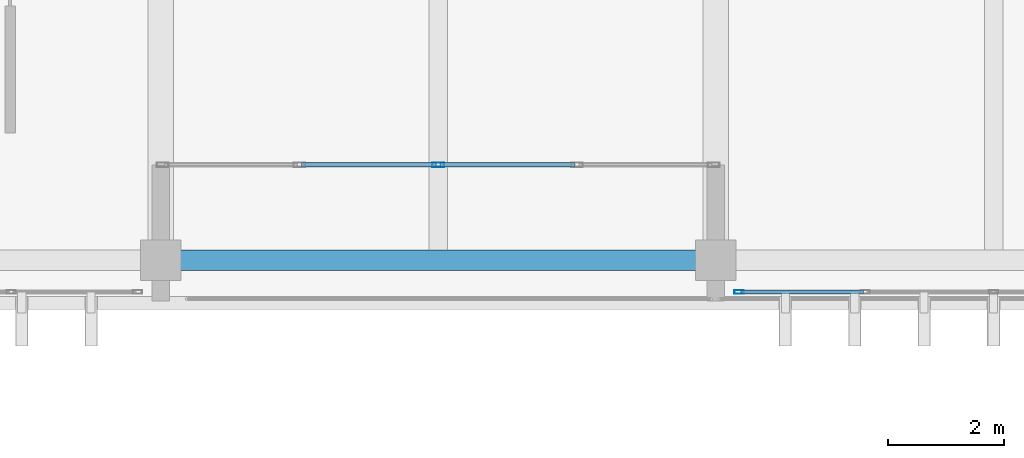
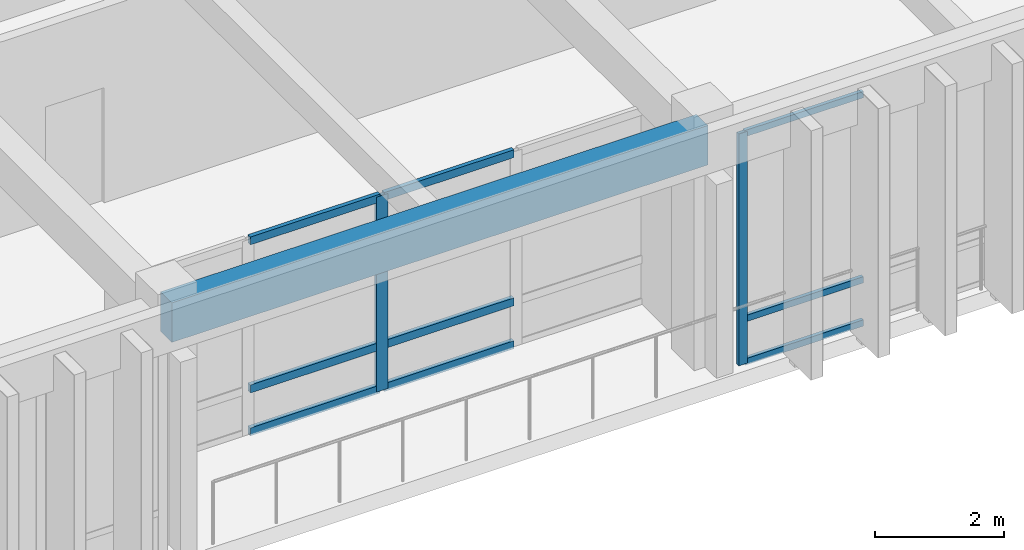
# One storey, part 10 of 133: 11 members, 1 beam, 2 elements without a shape of their own.
"""IFC4 building model written with IfcOpenShell, lengths in metres."""

import ifcopenshell
import ifcopenshell.guid

model = None  # the IFC model being written
_history = None  # IfcOwnerHistory: only IFC2X3 demands one
_inside = {}  # id of a spatial element -> (the spatial element, [elements in it])
_under = {}  # id of a project, library or spatial element -> (it, [spatial elements below it])
_declared = {}  # id of a project -> (the project, [libraries it declares])
_typed = {}  # id of a type object -> (the type object, [elements of that type])
_made_of = {}  # id of a material, layer set ... -> (it, [elements and type objects made of it])


def new_model(schema):
    """Start an empty IFC model of exactly this schema.

    Asked for "IFC4X3", IfcOpenShell would pick the latest addendum, in which some entities
    have other attributes; the version numbers below select the first issue.
    IFC2X3 requires an IfcOwnerHistory on every rooted entity: one is made here for all.
    """
    global model, _history
    if schema == "IFC4X3":
        model = ifcopenshell.file(schema_version=(4, 3, 0, 0))
    else:
        model = ifcopenshell.file(schema=schema)
    _inside.clear()
    _under.clear()
    _declared.clear()
    _typed.clear()
    _made_of.clear()
    _history = None
    if model.schema == "IFC2X3":
        org = make("IfcOrganization", Name="unknown")
        user = make(
            "IfcPersonAndOrganization",
            ThePerson=make("IfcPerson", FamilyName="unknown"),
            TheOrganization=org,
        )
        app = make(
            "IfcApplication",
            ApplicationDeveloper=org,
            Version="unknown",
            ApplicationFullName="unknown",
            ApplicationIdentifier="unknown",
        )
        _history = make(
            "IfcOwnerHistory",
            OwningUser=user,
            OwningApplication=app,
            ChangeAction="ADDED",
            CreationDate=0,
        )
    return model


def make(cls, **values):
    """One entity of the class cls with the attributes given. An attribute that is None is left unset."""
    return model.create_entity(
        cls, **{name: value for name, value in values.items() if value is not None}
    )


def rooted(cls, **values):
    """An entity with a GlobalId (a new one), such as an element, a storey or a relation."""
    return make(cls, GlobalId=ifcopenshell.guid.new(), OwnerHistory=_history, **values)


def si_unit(unit_type, name, prefix=None):
    """IfcSIUnit, for example si_unit("LENGTHUNIT", "METRE", prefix="MILLI")."""
    return make("IfcSIUnit", UnitType=unit_type, Prefix=prefix, Name=name)


def assignment(units):
    """IfcUnitAssignment: the units of a project."""
    return None if units is None else make("IfcUnitAssignment", Units=units)


def point(xyz):
    """IfcCartesianPoint."""
    return None if xyz is None else make("IfcCartesianPoint", Coordinates=xyz)


def direction(xyz):
    """IfcDirection."""
    return None if xyz is None else make("IfcDirection", DirectionRatios=xyz)


def frame(location, z_axis=None, x_axis=None):
    """IfcAxis2Placement3D, a coordinate frame: its origin and axes. An axis left out is left unset."""
    return make(
        "IfcAxis2Placement3D",
        Location=point(location),
        Axis=direction(z_axis),
        RefDirection=direction(x_axis),
    )


def frame_2d(location, x_axis=None):
    """IfcAxis2Placement2D, a coordinate frame in the plane: its origin and x axis."""
    return make(
        "IfcAxis2Placement2D", Location=point(location), RefDirection=direction(x_axis)
    )


def origin():
    """The frame at (0, 0, 0) with its axes left unset."""
    return frame((0.0, 0.0, 0.0))


def origin_2d():
    """The frame at (0, 0) in the plane with its x axis left unset."""
    return frame_2d((0.0, 0.0))


def place(relative_to, where):
    """IfcLocalPlacement: puts the frame where relative to a parent placement (None: the world)."""
    return make(
        "IfcLocalPlacement", PlacementRelTo=relative_to, RelativePlacement=where
    )


def context(
    kind, dimensions, precision=None, world=None, true_north=None, identifier=None
):
    """IfcGeometricRepresentationContext, for example the 3D "Model" context."""
    return make(
        "IfcGeometricRepresentationContext",
        ContextIdentifier=identifier,
        ContextType=kind,
        CoordinateSpaceDimension=dimensions,
        Precision=precision,
        WorldCoordinateSystem=world,
        TrueNorth=true_north,
    )


def subcontext(parent, identifier, kind, view, scale=None):
    """IfcGeometricRepresentationSubContext, for example "Body" below "Model"."""
    return make(
        "IfcGeometricRepresentationSubContext",
        ContextIdentifier=identifier,
        ContextType=kind,
        ParentContext=parent,
        TargetScale=scale,
        TargetView=view,
    )


def project(units=None, contexts=None):
    """IfcProject with its units and contexts."""
    return rooted(
        "IfcProject",
        Name="project",
        RepresentationContexts=contexts,
        UnitsInContext=assignment(units),
    )


def spatial(cls, under=None, at=None, **own):
    """A site, building, storey or space (cls), placed at a placement, below another one or the project."""
    s = rooted(cls, ObjectPlacement=at, **own)
    if under is not None:
        _under.setdefault(under.id(), (under, []))[1].append(s)
    return s


def profile(cls, at=None, kind="AREA", **sizes):
    """A parametric profile (cls). Its sizes go by their IFC names, for example OverallWidth=200.0."""
    return make(cls, ProfileType=kind, Position=at, **sizes)


def rectangle(**sizes):
    """IfcRectangleProfileDef."""
    return profile("IfcRectangleProfileDef", **sizes)


def hollow_rectangle(**sizes):
    """IfcRectangleHollowProfileDef."""
    return profile("IfcRectangleHollowProfileDef", **sizes)


def extrude(swept, where, along, depth):
    """IfcExtrudedAreaSolid: the profile swept, set in the frame where, extruded along a direction by depth."""
    return make(
        "IfcExtrudedAreaSolid",
        SweptArea=swept,
        Position=where,
        ExtrudedDirection=direction(along),
        Depth=depth,
    )


def shape(context_of_items, identifier, shape_type, items):
    """IfcShapeRepresentation: the items that make up one representation, for example the "Body"."""
    return make(
        "IfcShapeRepresentation",
        ContextOfItems=context_of_items,
        RepresentationIdentifier=identifier,
        RepresentationType=shape_type,
        Items=items,
    )


def material(Name=None, Category=None):
    """IfcMaterial."""
    return make("IfcMaterial", Name=Name, Category=Category)


def layer(
    of_material, thickness, ventilated=None, Name=None, Category=None, Priority=None
):
    """IfcMaterialLayer: one layer of a wall or slab, of a material (None: an air gap)."""
    return make(
        "IfcMaterialLayer",
        Material=of_material,
        LayerThickness=thickness,
        IsVentilated=ventilated,
        Name=Name,
        Category=Category,
        Priority=Priority,
    )


def layer_set(layers, Name=None):
    """IfcMaterialLayerSet."""
    return make("IfcMaterialLayerSet", MaterialLayers=layers, LayerSetName=Name)


def material_profile(
    of_material, cross_section, Name=None, Category=None, Priority=None
):
    """IfcMaterialProfile: a cross section and its material."""
    return make(
        "IfcMaterialProfile",
        Name=Name,
        Material=of_material,
        Profile=cross_section,
        Priority=Priority,
        Category=Category,
    )


def profile_set(profiles, Name=None, composite=None):
    """IfcMaterialProfileSet."""
    return make(
        "IfcMaterialProfileSet",
        Name=Name,
        MaterialProfiles=profiles,
        CompositeProfile=composite,
    )


def made_of(thing, what):
    """Note that an element or type object is made of a material, layer set ...; save() writes the relation."""
    if what is not None:
        _made_of.setdefault(what.id(), (what, []))[1].append(thing)
    return thing


def type_object(cls, material=None, **own):
    """A type object (cls), such as IfcWallType, which elements share."""
    return made_of(rooted(cls, **own), material)


def element(
    cls,
    number,
    at=None,
    inside=None,
    cuts=None,
    type_object=None,
    material=None,
    context=None,
    identifier="Body",
    shape_type=None,
    held_by="IfcProductDefinitionShape",
    body=None,
    shapes=None,
    **own,
):
    """One element of the class cls, such as IfcWall. Its Tag is "e" and its number.

    at: its placement. inside: the storey or other place that contains it. cuts: it is an
    opening in that element (IfcRelVoidsElement). A single representation is given by context,
    identifier, shape_type and body (its items); several are given by shapes. held_by: the class
    of the entity that holds the representations. save() writes the other relations.
    """
    e = rooted(cls, Tag="e%d" % number, ObjectPlacement=at, **own)
    if body is not None:
        shapes = [shape(context, identifier, shape_type, body)]
    if shapes is not None:
        e.Representation = make(held_by, Representations=shapes)
    if inside is not None:
        _inside.setdefault(inside.id(), (inside, []))[1].append(e)
    if cuts is not None:
        rooted(
            "IfcRelVoidsElement", RelatingBuildingElement=cuts, RelatedOpeningElement=e
        )
    if type_object is not None:
        _typed.setdefault(type_object.id(), (type_object, []))[1].append(e)
    return made_of(e, material)


def aggregate(whole, parts):
    """IfcRelAggregates: a whole, such as a stair, and the parts it consists of."""
    return rooted("IfcRelAggregates", RelatingObject=whole, RelatedObjects=parts)


def save(model, path):
    """Write the relations noted so far, then the file.

    IfcRelAggregates (storeys below a building ...), IfcRelContainedInSpatialStructure (elements
    in a storey), IfcRelDefinesByType, IfcRelAssociatesMaterial and IfcRelDeclares: one each for
    every whole, place, type object, material and project.
    """
    for whole, parts in _under.values():
        aggregate(whole, parts)
    for where, things in _inside.values():
        rooted(
            "IfcRelContainedInSpatialStructure",
            RelatedElements=things,
            RelatingStructure=where,
        )
    for kind, things in _typed.values():
        rooted("IfcRelDefinesByType", RelatedObjects=things, RelatingType=kind)
    for what, things in _made_of.values():
        rooted("IfcRelAssociatesMaterial", RelatedObjects=things, RelatingMaterial=what)
    for by, libraries in _declared.values():
        rooted("IfcRelDeclares", RelatingContext=by, RelatedDefinitions=libraries)
    model.write(path)


model = new_model("IFC4")

# Units and contexts
model_context = context("Model", 3, precision=1e-05, world=origin(), true_north=direction((0.0, 1.0)))
body_context = subcontext(model_context, "Body", "Model", "MODEL_VIEW")
ifc_project = project(units=[si_unit("LENGTHUNIT", "METRE"), si_unit("AREAUNIT", "SQUARE_METRE"), si_unit("VOLUMEUNIT", "CUBIC_METRE"), si_unit("PLANEANGLEUNIT", "RADIAN"), si_unit("MASSUNIT", "GRAM", prefix="KILO")], contexts=[model_context])

# Site, building, storey
site_placement = place(None, origin())
site = spatial("IfcSite", under=ifc_project, at=site_placement, CompositionType="ELEMENT")
building_placement = place(site_placement, origin())
building = spatial("IfcBuilding", under=site, at=building_placement, Name="Nakhvara Creek Congress Hotel", CompositionType="ELEMENT")
storey_placement = place(building_placement, frame((0.0, 0.0, 11.39990234375)))
storey = spatial("IfcBuildingStorey", under=building, at=storey_placement, Name="L02", CompositionType="ELEMENT", Elevation=11.39990234375)

# Beam
ifc_material_1 = material(Name="Concrete C40/50", Category="concrete")
ifc_material_profile_1 = material_profile(ifc_material_1, rectangle(XDim=0.35009765625, YDim=0.75, at=origin_2d()), Name="RC-SPANDREL 350x750", Category="LoadBearing")
ifc_profile_set_1 = profile_set([ifc_material_profile_1], Name="Concrete C40/50")
beam_type = type_object("IfcBeamType", Name="BM-SPN-350X750", PredefinedType="SPANDREL", material=ifc_profile_set_1)
beam_placement = place(storey_placement, frame((76.800048828125, 0.75, 4.045166015625), z_axis=(1.0, 0.0, 0.0), x_axis=(0.0, 1.0, 0.0)))
element("IfcBeam", 1, at=beam_placement, inside=storey, type_object=beam_type, Name="Beam SP1-L02-1448", PredefinedType="SPANDREL", context=body_context, shape_type="SweptSolid", body=[
    extrude(rectangle(XDim=0.35009765625, YDim=0.75, at=origin_2d()), origin(), (0.0, 0.0, 1.0), 9.599853515625),
])

# Curtain wall, member
ifc_material_2 = material(Name="Bronze-anodised aluminium AW-6063-T6 and double-silver low-E glass", Category="aluminium")
ifc_layer_1 = layer(ifc_material_2, 0.199951171875)
ifc_layer_set_1 = layer_set([ifc_layer_1], Name="Bronze-anodised aluminium AW-6063-T6 and double-silver low-E glass")
curtain_wall_type_1 = type_object("IfcCurtainWallType", Name="CW-SPA-STICK", PredefinedType="NOTDEFINED", material=ifc_layer_set_1)
curtain_wall_1_placement = place(storey_placement, origin())
curtain_wall_1 = element("IfcCurtainWall", 2, at=curtain_wall_1_placement, inside=storey, type_object=curtain_wall_type_1, Name="Curtain Wall CW093", PredefinedType="NOTDEFINED")
ifc_material_3 = material(Name="Bronze-anodised aluminium AW-6063-T6", Category="aluminium")
ifc_material_profile_2 = material_profile(ifc_material_3, hollow_rectangle(XDim=0.06494140625, YDim=0.159912109375, WallThickness=0.00390625, at=origin_2d()), Name="ALU-MULL 65x160x4", Category="LoadBearing")
ifc_profile_set_2 = profile_set([ifc_material_profile_2], Name="Bronze-anodised aluminium AW-6063-T6")
member_type_1 = type_object("IfcMemberType", Name="CW-MULL-160", PredefinedType="MULLION", material=ifc_profile_set_2)
member_1_placement = place(storey_placement, frame((86.797607421875, 0.199951171875, 0.0), z_axis=(0.0, 0.0, 1.0), x_axis=(0.0, -1.0, 0.0)))
member_1 = element("IfcMember", 3, at=member_1_placement, type_object=member_type_1, Name="CW093 mullion 5", PredefinedType="MULLION", context=body_context, shape_type="SweptSolid", body=[
    extrude(hollow_rectangle(XDim=0.06494140625, YDim=0.159912109375, WallThickness=0.00390625, at=origin_2d()), origin(), (0.0, 0.0, 1.0), 4.39013671875),
])

ifc_layer_2 = layer(ifc_material_2, 0.219970703125)
ifc_layer_set_2 = layer_set([ifc_layer_2], Name="Bronze-anodised aluminium AW-6063-T6 and double-silver low-E glass")
curtain_wall_type_2 = type_object("IfcCurtainWallType", Name="CW-BOX-REC", PredefinedType="USERDEFINED", material=ifc_layer_set_2)
curtain_wall_2_placement = place(storey_placement, origin())
curtain_wall_2 = element("IfcCurtainWall", 4, at=curtain_wall_2_placement, inside=storey, type_object=curtain_wall_type_2, Name="Curtain Wall CW091", ObjectType="UNITISED", PredefinedType="USERDEFINED")
ifc_material_profile_3 = material_profile(ifc_material_3, hollow_rectangle(XDim=0.074951171875, YDim=0.199951171875, WallThickness=0.0048828125, at=origin_2d()), Name="ALU-MULL 75x200x5", Category="LoadBearing")
ifc_profile_set_3 = profile_set([ifc_material_profile_3], Name="Bronze-anodised aluminium AW-6063-T6")
member_type_2 = type_object("IfcMemberType", Name="CW-MULL-200", PredefinedType="MULLION", material=ifc_profile_set_3)
member_2_placement = place(storey_placement, frame((81.60009765625, 2.39990234375, 0.0), z_axis=(0.0, 0.0, 1.0), x_axis=(0.0, -1.0, 0.0)))
member_2 = element("IfcMember", 5, at=member_2_placement, type_object=member_type_2, Name="CW091 mullion 3", PredefinedType="MULLION", context=body_context, shape_type="SweptSolid", body=[
    extrude(hollow_rectangle(XDim=0.074951171875, YDim=0.199951171875, WallThickness=0.0048828125, at=origin_2d()), origin(), (0.0, 0.0, 1.0), 3.692138671875),
])

# Member
ifc_material_profile_4 = material_profile(ifc_material_3, hollow_rectangle(XDim=0.06494140625, YDim=0.1201171875, WallThickness=0.00390625, at=origin_2d()), Name="ALU-TRAN 65x120x4", Category="LoadBearing")
ifc_profile_set_4 = profile_set([ifc_material_profile_4], Name="Bronze-anodised aluminium AW-6063-T6")
member_type_3 = type_object("IfcMemberType", Name="CW-TRAN-120", PredefinedType="USERDEFINED", material=ifc_profile_set_4)
member_3_placement = place(storey_placement, frame((88.949951171875, 0.199951171875, 0.03271484375), z_axis=(-1.0, 0.0, 0.0), x_axis=(0.0, -1.0, 0.0)))
member_3 = element("IfcMember", 6, at=member_3_placement, type_object=member_type_3, Name="CW093 transom 4.1", ObjectType="TRANSOM", PredefinedType="USERDEFINED", context=body_context, shape_type="SweptSolid", body=[
    extrude(hollow_rectangle(XDim=0.06494140625, YDim=0.1201171875, WallThickness=0.00390625, at=origin_2d()), origin(), (0.0, 0.0, 1.0), 2.119873046875),
])

member_4_placement = place(storey_placement, frame((88.949951171875, 0.199951171875, 0.85009765625), z_axis=(-1.0, 0.0, 0.0), x_axis=(0.0, -1.0, 0.0)))
member_4 = element("IfcMember", 7, at=member_4_placement, type_object=member_type_3, Name="CW093 transom 4.2", ObjectType="TRANSOM", PredefinedType="USERDEFINED", context=body_context, shape_type="SweptSolid", body=[
    extrude(hollow_rectangle(XDim=0.06494140625, YDim=0.1201171875, WallThickness=0.00390625, at=origin_2d()), origin(), (0.0, 0.0, 1.0), 2.119873046875),
])

member_5_placement = place(storey_placement, frame((88.949951171875, 0.199951171875, 4.357666015625), z_axis=(-1.0, 0.0, 0.0), x_axis=(0.0, -1.0, 0.0)))
member_5 = element("IfcMember", 8, at=member_5_placement, type_object=member_type_3, Name="CW093 transom 4.3", ObjectType="TRANSOM", PredefinedType="USERDEFINED", context=body_context, shape_type="SweptSolid", body=[
    extrude(hollow_rectangle(XDim=0.06494140625, YDim=0.1201171875, WallThickness=0.00390625, at=origin_2d()), origin(), (0.0, 0.0, 1.0), 2.119873046875),
])

aggregate(curtain_wall_1, [member_1, member_3, member_4, member_5])

ifc_material_profile_5 = material_profile(ifc_material_3, hollow_rectangle(XDim=0.074951171875, YDim=0.14990234375, WallThickness=0.00390625, at=origin_2d()), Name="ALU-TRAN 75x150x4", Category="LoadBearing")
ifc_profile_set_5 = profile_set([ifc_material_profile_5], Name="Bronze-anodised aluminium AW-6063-T6")
member_type_4 = type_object("IfcMemberType", Name="CW-TRAN-150", PredefinedType="USERDEFINED", material=ifc_profile_set_5)
member_6_placement = place(storey_placement, frame((83.96240234375, 2.39990234375, 0.03759765625), z_axis=(-1.0, 0.0, 0.0), x_axis=(0.0, -1.0, 0.0)))
member_6 = element("IfcMember", 9, at=member_6_placement, type_object=member_type_4, Name="CW091 transom 2.1", ObjectType="TRANSOM", PredefinedType="USERDEFINED", context=body_context, shape_type="SweptSolid", body=[
    extrude(hollow_rectangle(XDim=0.074951171875, YDim=0.14990234375, WallThickness=0.00390625, at=origin_2d()), origin(), (0.0, 0.0, 1.0), 2.324951171875),
])

member_7_placement = place(storey_placement, frame((83.96240234375, 2.39990234375, 0.85009765625), z_axis=(-1.0, 0.0, 0.0), x_axis=(0.0, -1.0, 0.0)))
member_7 = element("IfcMember", 10, at=member_7_placement, type_object=member_type_4, Name="CW091 transom 2.2", ObjectType="TRANSOM", PredefinedType="USERDEFINED", context=body_context, shape_type="SweptSolid", body=[
    extrude(hollow_rectangle(XDim=0.074951171875, YDim=0.14990234375, WallThickness=0.00390625, at=origin_2d()), origin(), (0.0, 0.0, 1.0), 2.324951171875),
])

member_8_placement = place(storey_placement, frame((83.96240234375, 2.39990234375, 3.654541015625), z_axis=(-1.0, 0.0, 0.0), x_axis=(0.0, -1.0, 0.0)))
member_8 = element("IfcMember", 11, at=member_8_placement, type_object=member_type_4, Name="CW091 transom 2.3", ObjectType="TRANSOM", PredefinedType="USERDEFINED", context=body_context, shape_type="SweptSolid", body=[
    extrude(hollow_rectangle(XDim=0.074951171875, YDim=0.14990234375, WallThickness=0.00390625, at=origin_2d()), origin(), (0.0, 0.0, 1.0), 2.324951171875),
])

member_9_placement = place(storey_placement, frame((81.5625, 2.39990234375, 0.03759765625), z_axis=(-1.0, 0.0, 0.0), x_axis=(0.0, -1.0, 0.0)))
member_9 = element("IfcMember", 12, at=member_9_placement, type_object=member_type_4, Name="CW091 transom 3.1", ObjectType="TRANSOM", PredefinedType="USERDEFINED", context=body_context, shape_type="SweptSolid", body=[
    extrude(hollow_rectangle(XDim=0.074951171875, YDim=0.14990234375, WallThickness=0.00390625, at=origin_2d()), origin(), (0.0, 0.0, 1.0), 2.324951171875),
])

member_10_placement = place(storey_placement, frame((81.5625, 2.39990234375, 0.85009765625), z_axis=(-1.0, 0.0, 0.0), x_axis=(0.0, -1.0, 0.0)))
member_10 = element("IfcMember", 13, at=member_10_placement, type_object=member_type_4, Name="CW091 transom 3.2", ObjectType="TRANSOM", PredefinedType="USERDEFINED", context=body_context, shape_type="SweptSolid", body=[
    extrude(hollow_rectangle(XDim=0.074951171875, YDim=0.14990234375, WallThickness=0.00390625, at=origin_2d()), origin(), (0.0, 0.0, 1.0), 2.324951171875),
])

member_11_placement = place(storey_placement, frame((81.5625, 2.39990234375, 3.654541015625), z_axis=(-1.0, 0.0, 0.0), x_axis=(0.0, -1.0, 0.0)))
member_11 = element("IfcMember", 14, at=member_11_placement, type_object=member_type_4, Name="CW091 transom 3.3", ObjectType="TRANSOM", PredefinedType="USERDEFINED", context=body_context, shape_type="SweptSolid", body=[
    extrude(hollow_rectangle(XDim=0.074951171875, YDim=0.14990234375, WallThickness=0.00390625, at=origin_2d()), origin(), (0.0, 0.0, 1.0), 2.324951171875),
])

aggregate(curtain_wall_2, [member_2, member_6, member_7, member_8, member_9, member_10, member_11])

save(model, "model.ifc")
